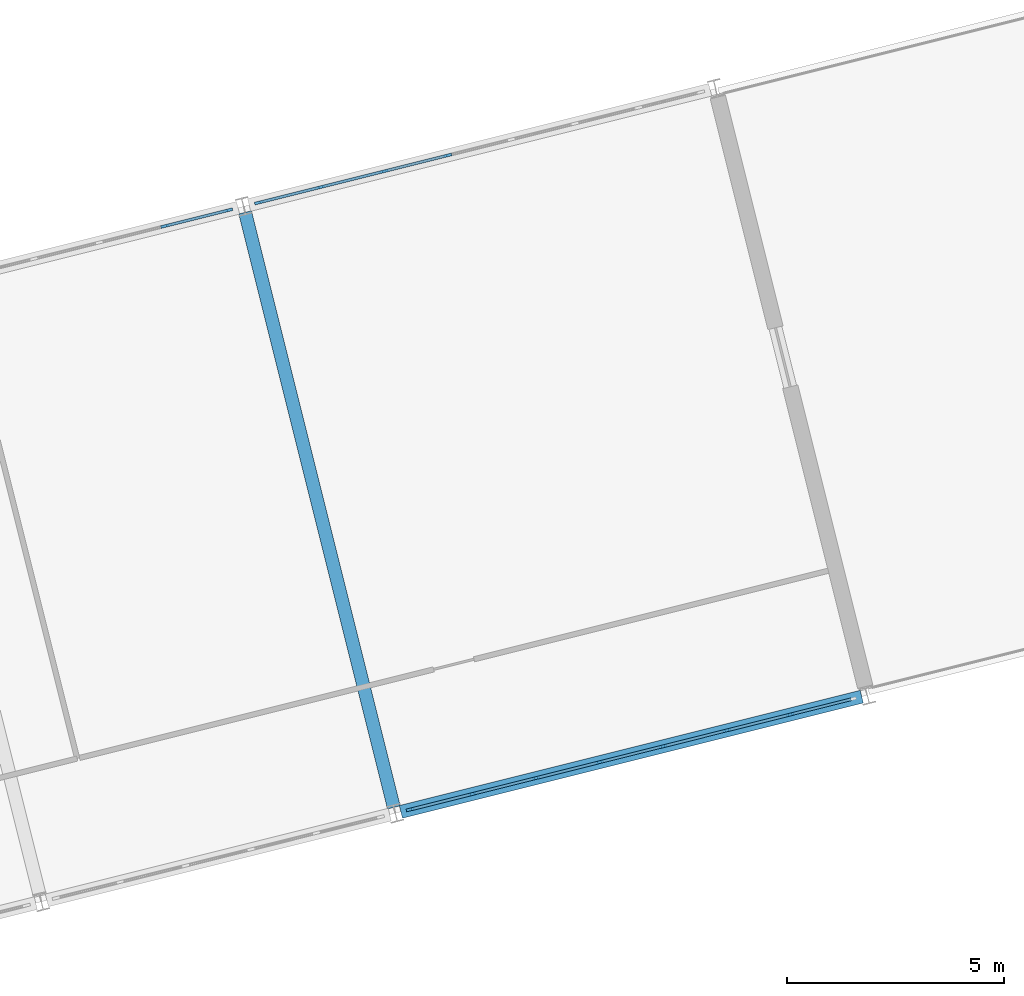
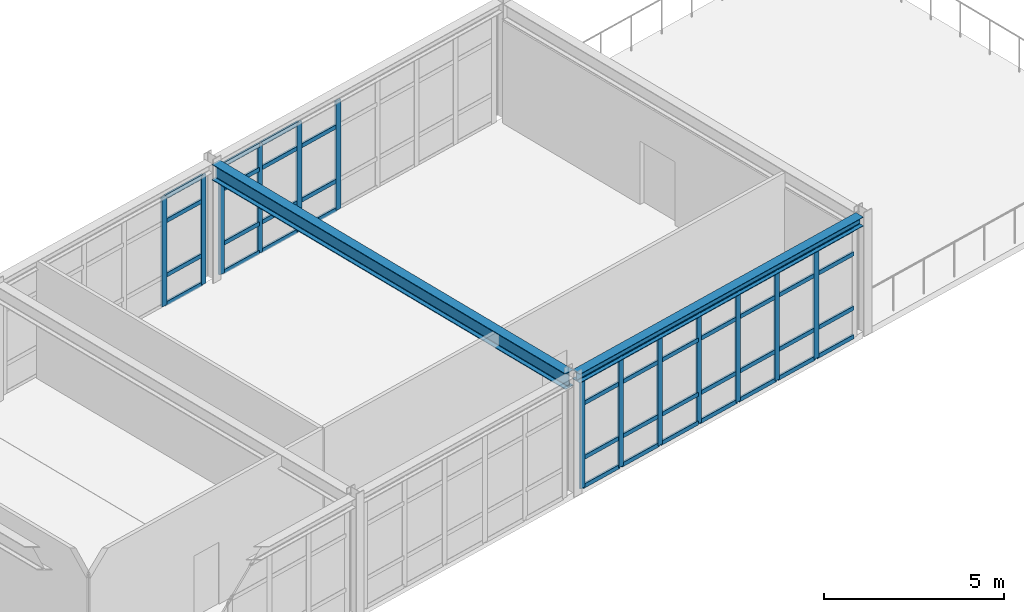
# One storey, part 17 of 64: 56 members, 2 beams, 3 elements without a shape of their own.
"""IFC4 building model written with IfcOpenShell, lengths in metres."""

from ifc_helpers import new_model, si_unit, direction, frame, origin, origin_2d, place, context, subcontext, project, spatial, rectangle, i_section, extrude, material, layer, layer_set, material_profile, profile_set, type_object, element, aggregate, save


model = new_model("IFC4")

# Units and contexts
model_context = context("Model", 3, precision=1e-05, world=origin(), true_north=direction((0.0, 1.0)))
body_context = subcontext(model_context, "Body", "Model", "MODEL_VIEW")
ifc_project = project(units=[si_unit("LENGTHUNIT", "METRE"), si_unit("AREAUNIT", "SQUARE_METRE"), si_unit("VOLUMEUNIT", "CUBIC_METRE"), si_unit("PLANEANGLEUNIT", "RADIAN"), si_unit("MASSUNIT", "GRAM", prefix="KILO")], contexts=[model_context])

# Site, building, storey
site_placement = place(None, origin())
site = spatial("IfcSite", under=ifc_project, at=site_placement, CompositionType="ELEMENT")
building_placement = place(site_placement, origin())
building = spatial("IfcBuilding", under=site, at=building_placement, Name="Nordkorset Police Headquarters", CompositionType="ELEMENT")
storey_placement = place(building_placement, frame((0.0, 0.0, 17.85009765625)))
storey = spatial("IfcBuildingStorey", under=building, at=storey_placement, Name="L04", CompositionType="ELEMENT", Elevation=17.85009765625)

# Curtain wall, members
ifc_material_1 = material(Name="Aluminium alloy AW-6060", Category="aluminium")
ifc_layer_1 = layer(ifc_material_1, 0.179931640625, Name="Aluminium alloy AW-6060")
ifc_layer_set_1 = layer_set([ifc_layer_1], Name="Aluminium alloy AW-6060")
curtain_wall_type_1 = type_object("IfcCurtainWallType", Name="CW_Unit_776x369", PredefinedType="USERDEFINED", material=ifc_layer_set_1)
curtain_wall_1_placement = place(storey_placement, origin())
curtain_wall_1 = element("IfcCurtainWall", 1, at=curtain_wall_1_placement, inside=storey, type_object=curtain_wall_type_1, Name="Unitised Curtain Wall L04 V4N-2", ObjectType="UNITISED CURTAIN WALL", PredefinedType="USERDEFINED")
ifc_material_2 = material(Name="Aluminium alloy AW-6060", Category="aluminium")
ifc_material_profile_1 = material_profile(ifc_material_2, rectangle(XDim=0.06494140625, YDim=0.179931640625, at=origin_2d()), Name="ALU MULL 65x180")
ifc_profile_set_1 = profile_set([ifc_material_profile_1], Name="Aluminium alloy AW-6060")
member_type_1 = type_object("IfcMemberType", Name="CW_Mullion_65x180", PredefinedType="MULLION", material=ifc_profile_set_1)
member_1_placement = place(storey_placement, frame((46.2314453125, 62.5009765625, 0.0), z_axis=(0.0, 0.0, 1.0), x_axis=(-0.242535928242, 0.970142424344, 0.0)))
member_1 = element("IfcMember", 2, at=member_1_placement, type_object=member_type_1, Name="CW-21 mullion 5", PredefinedType="MULLION", context=body_context, shape_type="SweptSolid", body=[
    extrude(rectangle(XDim=0.06494140625, YDim=0.179931640625, at=origin_2d()), origin(), (0.0, 0.0, 1.0), 3.69091796875),
])
member_2_placement = place(storey_placement, frame((47.70556640625, 62.86962890625, 0.0), z_axis=(0.0, 0.0, 1.0), x_axis=(-0.242535928242, 0.970142424344, 0.0)))
member_2 = element("IfcMember", 3, at=member_2_placement, type_object=member_type_1, Name="CW-21 mullion 6", PredefinedType="MULLION", context=body_context, shape_type="SweptSolid", body=[
    extrude(rectangle(XDim=0.06494140625, YDim=0.179931640625, at=origin_2d()), origin(), (0.0, 0.0, 1.0), 3.69091796875),
])

ifc_material_3 = material(Name="Aluminium alloy AW-6060", Category="aluminium")
ifc_layer_2 = layer(ifc_material_3, 0.179931640625, Name="Aluminium alloy AW-6060")
ifc_layer_set_2 = layer_set([ifc_layer_2], Name="Aluminium alloy AW-6060")
curtain_wall_type_2 = type_object("IfcCurtainWallType", Name="CW_Unit_1056x369", PredefinedType="USERDEFINED", material=ifc_layer_set_2)
curtain_wall_2_placement = place(storey_placement, origin())
curtain_wall_2 = element("IfcCurtainWall", 4, at=curtain_wall_2_placement, inside=storey, type_object=curtain_wall_type_2, Name="Unitised Curtain Wall L04 V4S-3", ObjectType="UNITISED CURTAIN WALL", PredefinedType="USERDEFINED")
member_3_placement = place(storey_placement, frame((51.882080078125, 49.070556640625, 0.0), z_axis=(0.0, 0.0, 1.0), x_axis=(-0.242535179399, 0.970142611554, 0.0)))
member_3 = element("IfcMember", 5, at=member_3_placement, type_object=member_type_1, Name="CW-97 mullion 1", PredefinedType="MULLION", context=body_context, shape_type="SweptSolid", body=[
    extrude(rectangle(XDim=0.06494140625, YDim=0.179931640625, at=origin_2d()), origin(), (0.0, 0.0, 1.0), 3.69091796875),
])
member_4_placement = place(storey_placement, frame((53.31396484375, 49.428466796875, 0.0), z_axis=(0.0, 0.0, 1.0), x_axis=(-0.242535179399, 0.970142611554, 0.0)))
member_4 = element("IfcMember", 6, at=member_4_placement, type_object=member_type_1, Name="CW-97 mullion 2", PredefinedType="MULLION", context=body_context, shape_type="SweptSolid", body=[
    extrude(rectangle(XDim=0.06494140625, YDim=0.179931640625, at=origin_2d()), origin(), (0.0, 0.0, 1.0), 3.69091796875),
])
member_5_placement = place(storey_placement, frame((54.777587890625, 49.79443359375, 0.0), z_axis=(0.0, 0.0, 1.0), x_axis=(-0.242535179399, 0.970142611554, 0.0)))
member_5 = element("IfcMember", 7, at=member_5_placement, type_object=member_type_1, Name="CW-97 mullion 3", PredefinedType="MULLION", context=body_context, shape_type="SweptSolid", body=[
    extrude(rectangle(XDim=0.06494140625, YDim=0.179931640625, at=origin_2d()), origin(), (0.0, 0.0, 1.0), 3.69091796875),
])
member_6_placement = place(storey_placement, frame((56.2412109375, 50.160400390625, 0.0), z_axis=(0.0, 0.0, 1.0), x_axis=(-0.242535179399, 0.970142611554, 0.0)))
member_6 = element("IfcMember", 8, at=member_6_placement, type_object=member_type_1, Name="CW-97 mullion 4", PredefinedType="MULLION", context=body_context, shape_type="SweptSolid", body=[
    extrude(rectangle(XDim=0.06494140625, YDim=0.179931640625, at=origin_2d()), origin(), (0.0, 0.0, 1.0), 3.69091796875),
])
member_7_placement = place(storey_placement, frame((57.70458984375, 50.526123046875, 0.0), z_axis=(0.0, 0.0, 1.0), x_axis=(-0.242535179399, 0.970142611554, 0.0)))
member_7 = element("IfcMember", 9, at=member_7_placement, type_object=member_type_1, Name="CW-97 mullion 5", PredefinedType="MULLION", context=body_context, shape_type="SweptSolid", body=[
    extrude(rectangle(XDim=0.06494140625, YDim=0.179931640625, at=origin_2d()), origin(), (0.0, 0.0, 1.0), 3.69091796875),
])
member_8_placement = place(storey_placement, frame((59.168212890625, 50.89208984375, 0.0), z_axis=(0.0, 0.0, 1.0), x_axis=(-0.242535179399, 0.970142611554, 0.0)))
member_8 = element("IfcMember", 10, at=member_8_placement, type_object=member_type_1, Name="CW-97 mullion 6", PredefinedType="MULLION", context=body_context, shape_type="SweptSolid", body=[
    extrude(rectangle(XDim=0.06494140625, YDim=0.179931640625, at=origin_2d()), origin(), (0.0, 0.0, 1.0), 3.69091796875),
])
member_9_placement = place(storey_placement, frame((60.6318359375, 51.2578125, 0.0), z_axis=(0.0, 0.0, 1.0), x_axis=(-0.242535179399, 0.970142611554, 0.0)))
member_9 = element("IfcMember", 11, at=member_9_placement, type_object=member_type_1, Name="CW-97 mullion 7", PredefinedType="MULLION", context=body_context, shape_type="SweptSolid", body=[
    extrude(rectangle(XDim=0.06494140625, YDim=0.179931640625, at=origin_2d()), origin(), (0.0, 0.0, 1.0), 3.69091796875),
])

curtain_wall_3_placement = place(storey_placement, origin())
curtain_wall_3 = element("IfcCurtainWall", 12, at=curtain_wall_3_placement, inside=storey, type_object=curtain_wall_type_2, Name="Unitised Curtain Wall L04 V4N-3", ObjectType="UNITISED CURTAIN WALL", PredefinedType="USERDEFINED")
member_10_placement = place(storey_placement, frame((48.3896484375, 63.04052734375, 0.0), z_axis=(0.0, 0.0, 1.0), x_axis=(-0.242536070676, 0.970142388735, 0.0)))
member_10 = element("IfcMember", 13, at=member_10_placement, type_object=member_type_1, Name="CW-97 mullion 1", PredefinedType="MULLION", context=body_context, shape_type="SweptSolid", body=[
    extrude(rectangle(XDim=0.06494140625, YDim=0.179931640625, at=origin_2d()), origin(), (0.0, 0.0, 1.0), 3.69091796875),
])
member_11_placement = place(storey_placement, frame((49.821533203125, 63.398681640625, 0.0), z_axis=(0.0, 0.0, 1.0), x_axis=(-0.242536070676, 0.970142388735, 0.0)))
member_11 = element("IfcMember", 14, at=member_11_placement, type_object=member_type_1, Name="CW-97 mullion 2", PredefinedType="MULLION", context=body_context, shape_type="SweptSolid", body=[
    extrude(rectangle(XDim=0.06494140625, YDim=0.179931640625, at=origin_2d()), origin(), (0.0, 0.0, 1.0), 3.69091796875),
])
member_12_placement = place(storey_placement, frame((51.28515625, 63.764404296875, 0.0), z_axis=(0.0, 0.0, 1.0), x_axis=(-0.242536070676, 0.970142388735, 0.0)))
member_12 = element("IfcMember", 15, at=member_12_placement, type_object=member_type_1, Name="CW-97 mullion 3", PredefinedType="MULLION", context=body_context, shape_type="SweptSolid", body=[
    extrude(rectangle(XDim=0.06494140625, YDim=0.179931640625, at=origin_2d()), origin(), (0.0, 0.0, 1.0), 3.69091796875),
])
member_13_placement = place(storey_placement, frame((52.74853515625, 64.13037109375, 0.0), z_axis=(0.0, 0.0, 1.0), x_axis=(-0.242536070676, 0.970142388735, 0.0)))
member_13 = element("IfcMember", 16, at=member_13_placement, type_object=member_type_1, Name="CW-97 mullion 4", PredefinedType="MULLION", context=body_context, shape_type="SweptSolid", body=[
    extrude(rectangle(XDim=0.06494140625, YDim=0.179931640625, at=origin_2d()), origin(), (0.0, 0.0, 1.0), 3.69091796875),
])

# Member
ifc_material_4 = material(Name="Aluminium alloy AW-6060", Category="aluminium")
ifc_material_profile_2 = material_profile(ifc_material_4, rectangle(XDim=0.06494140625, YDim=0.139892578125, at=origin_2d()), Name="ALU TRAN 65x140")
ifc_profile_set_2 = profile_set([ifc_material_profile_2], Name="Aluminium alloy AW-6060")
member_type_2 = type_object("IfcMemberType", Name="CW_Transom_65x140", PredefinedType="USERDEFINED", material=ifc_profile_set_2)
member_14_placement = place(storey_placement, frame((46.262939453125, 62.509033203125, 0.032470703125), z_axis=(0.970142500145, 0.242535625036, 0.0), x_axis=(-0.242535625036, 0.970142500145, 0.0)))
member_14 = element("IfcMember", 17, at=member_14_placement, type_object=member_type_2, Name="CW-21 transom 5.1", ObjectType="TRANSOM", PredefinedType="USERDEFINED", context=body_context, shape_type="SweptSolid", body=[
    extrude(rectangle(XDim=0.06494140625, YDim=0.139892578125, at=origin_2d()), origin(), (0.0, 0.0, 1.0), 1.45458984375),
])

member_15_placement = place(storey_placement, frame((46.262939453125, 62.509033203125, 1.0), z_axis=(0.970142500145, 0.242535625036, 0.0), x_axis=(-0.242535625036, 0.970142500145, 0.0)))
member_15 = element("IfcMember", 18, at=member_15_placement, type_object=member_type_2, Name="CW-21 transom 5.2", ObjectType="TRANSOM", PredefinedType="USERDEFINED", context=body_context, shape_type="SweptSolid", body=[
    extrude(rectangle(XDim=0.06494140625, YDim=0.139892578125, at=origin_2d()), origin(), (0.0, 0.0, 1.0), 1.45458984375),
])

member_16_placement = place(storey_placement, frame((46.262939453125, 62.509033203125, 2.8408203125), z_axis=(0.970142500145, 0.242535625036, 0.0), x_axis=(-0.242535625036, 0.970142500145, 0.0)))
member_16 = element("IfcMember", 19, at=member_16_placement, type_object=member_type_2, Name="CW-21 transom 5.3", ObjectType="TRANSOM", PredefinedType="USERDEFINED", context=body_context, shape_type="SweptSolid", body=[
    extrude(rectangle(XDim=0.06494140625, YDim=0.139892578125, at=origin_2d()), origin(), (0.0, 0.0, 1.0), 1.45458984375),
])

member_17_placement = place(storey_placement, frame((46.262939453125, 62.509033203125, 3.658447265625), z_axis=(0.970142500145, 0.242535625036, 0.0), x_axis=(-0.242535625036, 0.970142500145, 0.0)))
member_17 = element("IfcMember", 20, at=member_17_placement, type_object=member_type_2, Name="CW-21 transom 5.4", ObjectType="TRANSOM", PredefinedType="USERDEFINED", context=body_context, shape_type="SweptSolid", body=[
    extrude(rectangle(XDim=0.06494140625, YDim=0.139892578125, at=origin_2d()), origin(), (0.0, 0.0, 1.0), 1.45458984375),
])

aggregate(curtain_wall_1, [member_1, member_2, member_14, member_15, member_16, member_17])

member_18_placement = place(storey_placement, frame((51.91357421875, 49.078369140625, 0.032470703125), z_axis=(0.970132321548, 0.242576335796, 0.0), x_axis=(-0.242576335796, 0.970132321548, 0.0)))
member_18 = element("IfcMember", 21, at=member_18_placement, type_object=member_type_2, Name="CW-97 transom 1.1", ObjectType="TRANSOM", PredefinedType="USERDEFINED", context=body_context, shape_type="SweptSolid", body=[
    extrude(rectangle(XDim=0.06494140625, YDim=0.139892578125, at=origin_2d()), origin(), (0.0, 0.0, 1.0), 1.4111328125),
])

member_19_placement = place(storey_placement, frame((51.91357421875, 49.078369140625, 1.0), z_axis=(0.970132321548, 0.242576335796, 0.0), x_axis=(-0.242576335796, 0.970132321548, 0.0)))
member_19 = element("IfcMember", 22, at=member_19_placement, type_object=member_type_2, Name="CW-97 transom 1.2", ObjectType="TRANSOM", PredefinedType="USERDEFINED", context=body_context, shape_type="SweptSolid", body=[
    extrude(rectangle(XDim=0.06494140625, YDim=0.139892578125, at=origin_2d()), origin(), (0.0, 0.0, 1.0), 1.4111328125),
])

member_20_placement = place(storey_placement, frame((51.91357421875, 49.078369140625, 2.8408203125), z_axis=(0.970132321548, 0.242576335796, 0.0), x_axis=(-0.242576335796, 0.970132321548, 0.0)))
member_20 = element("IfcMember", 23, at=member_20_placement, type_object=member_type_2, Name="CW-97 transom 1.3", ObjectType="TRANSOM", PredefinedType="USERDEFINED", context=body_context, shape_type="SweptSolid", body=[
    extrude(rectangle(XDim=0.06494140625, YDim=0.139892578125, at=origin_2d()), origin(), (0.0, 0.0, 1.0), 1.4111328125),
])

member_21_placement = place(storey_placement, frame((51.91357421875, 49.078369140625, 3.658447265625), z_axis=(0.970132321548, 0.242576335796, 0.0), x_axis=(-0.242576335796, 0.970132321548, 0.0)))
member_21 = element("IfcMember", 24, at=member_21_placement, type_object=member_type_2, Name="CW-97 transom 1.4", ObjectType="TRANSOM", PredefinedType="USERDEFINED", context=body_context, shape_type="SweptSolid", body=[
    extrude(rectangle(XDim=0.06494140625, YDim=0.139892578125, at=origin_2d()), origin(), (0.0, 0.0, 1.0), 1.4111328125),
])

member_22_placement = place(storey_placement, frame((53.345703125, 49.4365234375, 0.032470703125), z_axis=(0.970142500145, 0.242535625036, 0.0), x_axis=(-0.242535625036, 0.970142500145, 0.0)))
member_22 = element("IfcMember", 25, at=member_22_placement, type_object=member_type_2, Name="CW-97 transom 2.1", ObjectType="TRANSOM", PredefinedType="USERDEFINED", context=body_context, shape_type="SweptSolid", body=[
    extrude(rectangle(XDim=0.06494140625, YDim=0.139892578125, at=origin_2d()), origin(), (0.0, 0.0, 1.0), 1.443603515625),
])

member_23_placement = place(storey_placement, frame((53.345703125, 49.4365234375, 1.0), z_axis=(0.970142500145, 0.242535625036, 0.0), x_axis=(-0.242535625036, 0.970142500145, 0.0)))
member_23 = element("IfcMember", 26, at=member_23_placement, type_object=member_type_2, Name="CW-97 transom 2.2", ObjectType="TRANSOM", PredefinedType="USERDEFINED", context=body_context, shape_type="SweptSolid", body=[
    extrude(rectangle(XDim=0.06494140625, YDim=0.139892578125, at=origin_2d()), origin(), (0.0, 0.0, 1.0), 1.443603515625),
])

member_24_placement = place(storey_placement, frame((53.345703125, 49.4365234375, 2.8408203125), z_axis=(0.970142500145, 0.242535625036, 0.0), x_axis=(-0.242535625036, 0.970142500145, 0.0)))
member_24 = element("IfcMember", 27, at=member_24_placement, type_object=member_type_2, Name="CW-97 transom 2.3", ObjectType="TRANSOM", PredefinedType="USERDEFINED", context=body_context, shape_type="SweptSolid", body=[
    extrude(rectangle(XDim=0.06494140625, YDim=0.139892578125, at=origin_2d()), origin(), (0.0, 0.0, 1.0), 1.443603515625),
])

member_25_placement = place(storey_placement, frame((53.345703125, 49.4365234375, 3.658447265625), z_axis=(0.970142500145, 0.242535625036, 0.0), x_axis=(-0.242535625036, 0.970142500145, 0.0)))
member_25 = element("IfcMember", 28, at=member_25_placement, type_object=member_type_2, Name="CW-97 transom 2.4", ObjectType="TRANSOM", PredefinedType="USERDEFINED", context=body_context, shape_type="SweptSolid", body=[
    extrude(rectangle(XDim=0.06494140625, YDim=0.139892578125, at=origin_2d()), origin(), (0.0, 0.0, 1.0), 1.443603515625),
])

member_26_placement = place(storey_placement, frame((54.80908203125, 49.80224609375, 0.032470703125), z_axis=(0.970152446652, 0.242495835541, 0.0), x_axis=(-0.242495835541, 0.970152446652, 0.0)))
member_26 = element("IfcMember", 29, at=member_26_placement, type_object=member_type_2, Name="CW-97 transom 3.1", ObjectType="TRANSOM", PredefinedType="USERDEFINED", context=body_context, shape_type="SweptSolid", body=[
    extrude(rectangle(XDim=0.06494140625, YDim=0.139892578125, at=origin_2d()), origin(), (0.0, 0.0, 1.0), 1.44384765625),
])

member_27_placement = place(storey_placement, frame((54.80908203125, 49.80224609375, 1.0), z_axis=(0.970152446652, 0.242495835541, 0.0), x_axis=(-0.242495835541, 0.970152446652, 0.0)))
member_27 = element("IfcMember", 30, at=member_27_placement, type_object=member_type_2, Name="CW-97 transom 3.2", ObjectType="TRANSOM", PredefinedType="USERDEFINED", context=body_context, shape_type="SweptSolid", body=[
    extrude(rectangle(XDim=0.06494140625, YDim=0.139892578125, at=origin_2d()), origin(), (0.0, 0.0, 1.0), 1.44384765625),
])

member_28_placement = place(storey_placement, frame((54.80908203125, 49.80224609375, 2.8408203125), z_axis=(0.970152446652, 0.242495835541, 0.0), x_axis=(-0.242495835541, 0.970152446652, 0.0)))
member_28 = element("IfcMember", 31, at=member_28_placement, type_object=member_type_2, Name="CW-97 transom 3.3", ObjectType="TRANSOM", PredefinedType="USERDEFINED", context=body_context, shape_type="SweptSolid", body=[
    extrude(rectangle(XDim=0.06494140625, YDim=0.139892578125, at=origin_2d()), origin(), (0.0, 0.0, 1.0), 1.44384765625),
])

member_29_placement = place(storey_placement, frame((54.80908203125, 49.80224609375, 3.658447265625), z_axis=(0.970152446652, 0.242495835541, 0.0), x_axis=(-0.242495835541, 0.970152446652, 0.0)))
member_29 = element("IfcMember", 32, at=member_29_placement, type_object=member_type_2, Name="CW-97 transom 3.4", ObjectType="TRANSOM", PredefinedType="USERDEFINED", context=body_context, shape_type="SweptSolid", body=[
    extrude(rectangle(XDim=0.06494140625, YDim=0.139892578125, at=origin_2d()), origin(), (0.0, 0.0, 1.0), 1.44384765625),
])

member_30_placement = place(storey_placement, frame((56.272705078125, 50.168212890625, 0.032470703125), z_axis=(0.970142500145, 0.242535625036, 0.0), x_axis=(-0.242535625036, 0.970142500145, 0.0)))
member_30 = element("IfcMember", 33, at=member_30_placement, type_object=member_type_2, Name="CW-97 transom 4.1", ObjectType="TRANSOM", PredefinedType="USERDEFINED", context=body_context, shape_type="SweptSolid", body=[
    extrude(rectangle(XDim=0.06494140625, YDim=0.139892578125, at=origin_2d()), origin(), (0.0, 0.0, 1.0), 1.443603515625),
])

member_31_placement = place(storey_placement, frame((56.272705078125, 50.168212890625, 1.0), z_axis=(0.970142500145, 0.242535625036, 0.0), x_axis=(-0.242535625036, 0.970142500145, 0.0)))
member_31 = element("IfcMember", 34, at=member_31_placement, type_object=member_type_2, Name="CW-97 transom 4.2", ObjectType="TRANSOM", PredefinedType="USERDEFINED", context=body_context, shape_type="SweptSolid", body=[
    extrude(rectangle(XDim=0.06494140625, YDim=0.139892578125, at=origin_2d()), origin(), (0.0, 0.0, 1.0), 1.443603515625),
])

member_32_placement = place(storey_placement, frame((56.272705078125, 50.168212890625, 2.8408203125), z_axis=(0.970142500145, 0.242535625036, 0.0), x_axis=(-0.242535625036, 0.970142500145, 0.0)))
member_32 = element("IfcMember", 35, at=member_32_placement, type_object=member_type_2, Name="CW-97 transom 4.3", ObjectType="TRANSOM", PredefinedType="USERDEFINED", context=body_context, shape_type="SweptSolid", body=[
    extrude(rectangle(XDim=0.06494140625, YDim=0.139892578125, at=origin_2d()), origin(), (0.0, 0.0, 1.0), 1.443603515625),
])

member_33_placement = place(storey_placement, frame((56.272705078125, 50.168212890625, 3.658447265625), z_axis=(0.970142500145, 0.242535625036, 0.0), x_axis=(-0.242535625036, 0.970142500145, 0.0)))
member_33 = element("IfcMember", 36, at=member_33_placement, type_object=member_type_2, Name="CW-97 transom 4.4", ObjectType="TRANSOM", PredefinedType="USERDEFINED", context=body_context, shape_type="SweptSolid", body=[
    extrude(rectangle(XDim=0.06494140625, YDim=0.139892578125, at=origin_2d()), origin(), (0.0, 0.0, 1.0), 1.443603515625),
])

member_34_placement = place(storey_placement, frame((57.736083984375, 50.533935546875, 0.032470703125), z_axis=(0.970112652058, 0.242654986178, 0.0), x_axis=(-0.242654986178, 0.970112652058, 0.0)))
member_34 = element("IfcMember", 37, at=member_34_placement, type_object=member_type_2, Name="CW-97 transom 5.1", ObjectType="TRANSOM", PredefinedType="USERDEFINED", context=body_context, shape_type="SweptSolid", body=[
    extrude(rectangle(XDim=0.06494140625, YDim=0.139892578125, at=origin_2d()), origin(), (0.0, 0.0, 1.0), 1.44384765625),
])

member_35_placement = place(storey_placement, frame((57.736083984375, 50.533935546875, 1.0), z_axis=(0.970112652058, 0.242654986178, 0.0), x_axis=(-0.242654986178, 0.970112652058, 0.0)))
member_35 = element("IfcMember", 38, at=member_35_placement, type_object=member_type_2, Name="CW-97 transom 5.2", ObjectType="TRANSOM", PredefinedType="USERDEFINED", context=body_context, shape_type="SweptSolid", body=[
    extrude(rectangle(XDim=0.06494140625, YDim=0.139892578125, at=origin_2d()), origin(), (0.0, 0.0, 1.0), 1.44384765625),
])

member_36_placement = place(storey_placement, frame((57.736083984375, 50.533935546875, 2.8408203125), z_axis=(0.970112652058, 0.242654986178, 0.0), x_axis=(-0.242654986178, 0.970112652058, 0.0)))
member_36 = element("IfcMember", 39, at=member_36_placement, type_object=member_type_2, Name="CW-97 transom 5.3", ObjectType="TRANSOM", PredefinedType="USERDEFINED", context=body_context, shape_type="SweptSolid", body=[
    extrude(rectangle(XDim=0.06494140625, YDim=0.139892578125, at=origin_2d()), origin(), (0.0, 0.0, 1.0), 1.44384765625),
])

member_37_placement = place(storey_placement, frame((57.736083984375, 50.533935546875, 3.658447265625), z_axis=(0.970112652058, 0.242654986178, 0.0), x_axis=(-0.242654986178, 0.970112652058, 0.0)))
member_37 = element("IfcMember", 40, at=member_37_placement, type_object=member_type_2, Name="CW-97 transom 5.4", ObjectType="TRANSOM", PredefinedType="USERDEFINED", context=body_context, shape_type="SweptSolid", body=[
    extrude(rectangle(XDim=0.06494140625, YDim=0.139892578125, at=origin_2d()), origin(), (0.0, 0.0, 1.0), 1.44384765625),
])

member_38_placement = place(storey_placement, frame((59.19970703125, 50.89990234375, 0.032470703125), z_axis=(0.970142500145, 0.242535625036, 0.0), x_axis=(-0.242535625036, 0.970142500145, 0.0)))
member_38 = element("IfcMember", 41, at=member_38_placement, type_object=member_type_2, Name="CW-97 transom 6.1", ObjectType="TRANSOM", PredefinedType="USERDEFINED", context=body_context, shape_type="SweptSolid", body=[
    extrude(rectangle(XDim=0.06494140625, YDim=0.139892578125, at=origin_2d()), origin(), (0.0, 0.0, 1.0), 1.443603515625),
])

member_39_placement = place(storey_placement, frame((59.19970703125, 50.89990234375, 1.0), z_axis=(0.970142500145, 0.242535625036, 0.0), x_axis=(-0.242535625036, 0.970142500145, 0.0)))
member_39 = element("IfcMember", 42, at=member_39_placement, type_object=member_type_2, Name="CW-97 transom 6.2", ObjectType="TRANSOM", PredefinedType="USERDEFINED", context=body_context, shape_type="SweptSolid", body=[
    extrude(rectangle(XDim=0.06494140625, YDim=0.139892578125, at=origin_2d()), origin(), (0.0, 0.0, 1.0), 1.443603515625),
])

member_40_placement = place(storey_placement, frame((59.19970703125, 50.89990234375, 2.8408203125), z_axis=(0.970142500145, 0.242535625036, 0.0), x_axis=(-0.242535625036, 0.970142500145, 0.0)))
member_40 = element("IfcMember", 43, at=member_40_placement, type_object=member_type_2, Name="CW-97 transom 6.3", ObjectType="TRANSOM", PredefinedType="USERDEFINED", context=body_context, shape_type="SweptSolid", body=[
    extrude(rectangle(XDim=0.06494140625, YDim=0.139892578125, at=origin_2d()), origin(), (0.0, 0.0, 1.0), 1.443603515625),
])

member_41_placement = place(storey_placement, frame((59.19970703125, 50.89990234375, 3.658447265625), z_axis=(0.970142500145, 0.242535625036, 0.0), x_axis=(-0.242535625036, 0.970142500145, 0.0)))
member_41 = element("IfcMember", 44, at=member_41_placement, type_object=member_type_2, Name="CW-97 transom 6.4", ObjectType="TRANSOM", PredefinedType="USERDEFINED", context=body_context, shape_type="SweptSolid", body=[
    extrude(rectangle(XDim=0.06494140625, YDim=0.139892578125, at=origin_2d()), origin(), (0.0, 0.0, 1.0), 1.443603515625),
])

member_42_placement = place(storey_placement, frame((60.663330078125, 51.265869140625, 0.032470703125), z_axis=(0.970132321548, 0.242576335796, 0.0), x_axis=(-0.242576335796, 0.970132321548, 0.0)))
member_42 = element("IfcMember", 45, at=member_42_placement, type_object=member_type_2, Name="CW-97 transom 7.1", ObjectType="TRANSOM", PredefinedType="USERDEFINED", context=body_context, shape_type="SweptSolid", body=[
    extrude(rectangle(XDim=0.06494140625, YDim=0.139892578125, at=origin_2d()), origin(), (0.0, 0.0, 1.0), 1.4111328125),
])

member_43_placement = place(storey_placement, frame((60.663330078125, 51.265869140625, 1.0), z_axis=(0.970132321548, 0.242576335796, 0.0), x_axis=(-0.242576335796, 0.970132321548, 0.0)))
member_43 = element("IfcMember", 46, at=member_43_placement, type_object=member_type_2, Name="CW-97 transom 7.2", ObjectType="TRANSOM", PredefinedType="USERDEFINED", context=body_context, shape_type="SweptSolid", body=[
    extrude(rectangle(XDim=0.06494140625, YDim=0.139892578125, at=origin_2d()), origin(), (0.0, 0.0, 1.0), 1.4111328125),
])

member_44_placement = place(storey_placement, frame((60.663330078125, 51.265869140625, 2.8408203125), z_axis=(0.970132321548, 0.242576335796, 0.0), x_axis=(-0.242576335796, 0.970132321548, 0.0)))
member_44 = element("IfcMember", 47, at=member_44_placement, type_object=member_type_2, Name="CW-97 transom 7.3", ObjectType="TRANSOM", PredefinedType="USERDEFINED", context=body_context, shape_type="SweptSolid", body=[
    extrude(rectangle(XDim=0.06494140625, YDim=0.139892578125, at=origin_2d()), origin(), (0.0, 0.0, 1.0), 1.4111328125),
])

member_45_placement = place(storey_placement, frame((60.663330078125, 51.265869140625, 3.658447265625), z_axis=(0.970132321548, 0.242576335796, 0.0), x_axis=(-0.242576335796, 0.970132321548, 0.0)))
member_45 = element("IfcMember", 48, at=member_45_placement, type_object=member_type_2, Name="CW-97 transom 7.4", ObjectType="TRANSOM", PredefinedType="USERDEFINED", context=body_context, shape_type="SweptSolid", body=[
    extrude(rectangle(XDim=0.06494140625, YDim=0.139892578125, at=origin_2d()), origin(), (0.0, 0.0, 1.0), 1.4111328125),
])

aggregate(curtain_wall_2, [member_3, member_4, member_5, member_6, member_7, member_8, member_9, member_18, member_19, member_20, member_21, member_22, member_23, member_24, member_25, member_26, member_27, member_28, member_29, member_30, member_31, member_32, member_33, member_34, member_35, member_36, member_37, member_38, member_39, member_40, member_41, member_42, member_43, member_44, member_45])

member_46_placement = place(storey_placement, frame((48.421142578125, 63.04833984375, 0.032470703125), z_axis=(0.970132321548, 0.242576335796, 0.0), x_axis=(-0.242576335796, 0.970132321548, 0.0)))
member_46 = element("IfcMember", 49, at=member_46_placement, type_object=member_type_2, Name="CW-97 transom 1.1", ObjectType="TRANSOM", PredefinedType="USERDEFINED", context=body_context, shape_type="SweptSolid", body=[
    extrude(rectangle(XDim=0.06494140625, YDim=0.139892578125, at=origin_2d()), origin(), (0.0, 0.0, 1.0), 1.4111328125),
])

member_47_placement = place(storey_placement, frame((48.421142578125, 63.04833984375, 1.0), z_axis=(0.970132321548, 0.242576335796, 0.0), x_axis=(-0.242576335796, 0.970132321548, 0.0)))
member_47 = element("IfcMember", 50, at=member_47_placement, type_object=member_type_2, Name="CW-97 transom 1.2", ObjectType="TRANSOM", PredefinedType="USERDEFINED", context=body_context, shape_type="SweptSolid", body=[
    extrude(rectangle(XDim=0.06494140625, YDim=0.139892578125, at=origin_2d()), origin(), (0.0, 0.0, 1.0), 1.4111328125),
])

member_48_placement = place(storey_placement, frame((48.421142578125, 63.04833984375, 2.8408203125), z_axis=(0.970132321548, 0.242576335796, 0.0), x_axis=(-0.242576335796, 0.970132321548, 0.0)))
member_48 = element("IfcMember", 51, at=member_48_placement, type_object=member_type_2, Name="CW-97 transom 1.3", ObjectType="TRANSOM", PredefinedType="USERDEFINED", context=body_context, shape_type="SweptSolid", body=[
    extrude(rectangle(XDim=0.06494140625, YDim=0.139892578125, at=origin_2d()), origin(), (0.0, 0.0, 1.0), 1.4111328125),
])

member_49_placement = place(storey_placement, frame((48.421142578125, 63.04833984375, 3.658447265625), z_axis=(0.970132321548, 0.242576335796, 0.0), x_axis=(-0.242576335796, 0.970132321548, 0.0)))
member_49 = element("IfcMember", 52, at=member_49_placement, type_object=member_type_2, Name="CW-97 transom 1.4", ObjectType="TRANSOM", PredefinedType="USERDEFINED", context=body_context, shape_type="SweptSolid", body=[
    extrude(rectangle(XDim=0.06494140625, YDim=0.139892578125, at=origin_2d()), origin(), (0.0, 0.0, 1.0), 1.4111328125),
])

member_50_placement = place(storey_placement, frame((49.85302734375, 63.406494140625, 0.032470703125), z_axis=(0.970152446652, 0.242495835541, 0.0), x_axis=(-0.242495835541, 0.970152446652, 0.0)))
member_50 = element("IfcMember", 53, at=member_50_placement, type_object=member_type_2, Name="CW-97 transom 2.1", ObjectType="TRANSOM", PredefinedType="USERDEFINED", context=body_context, shape_type="SweptSolid", body=[
    extrude(rectangle(XDim=0.06494140625, YDim=0.139892578125, at=origin_2d()), origin(), (0.0, 0.0, 1.0), 1.44384765625),
])

member_51_placement = place(storey_placement, frame((49.85302734375, 63.406494140625, 1.0), z_axis=(0.970152446652, 0.242495835541, 0.0), x_axis=(-0.242495835541, 0.970152446652, 0.0)))
member_51 = element("IfcMember", 54, at=member_51_placement, type_object=member_type_2, Name="CW-97 transom 2.2", ObjectType="TRANSOM", PredefinedType="USERDEFINED", context=body_context, shape_type="SweptSolid", body=[
    extrude(rectangle(XDim=0.06494140625, YDim=0.139892578125, at=origin_2d()), origin(), (0.0, 0.0, 1.0), 1.44384765625),
])

member_52_placement = place(storey_placement, frame((49.85302734375, 63.406494140625, 2.8408203125), z_axis=(0.970152446652, 0.242495835541, 0.0), x_axis=(-0.242495835541, 0.970152446652, 0.0)))
member_52 = element("IfcMember", 55, at=member_52_placement, type_object=member_type_2, Name="CW-97 transom 2.3", ObjectType="TRANSOM", PredefinedType="USERDEFINED", context=body_context, shape_type="SweptSolid", body=[
    extrude(rectangle(XDim=0.06494140625, YDim=0.139892578125, at=origin_2d()), origin(), (0.0, 0.0, 1.0), 1.44384765625),
])

member_53_placement = place(storey_placement, frame((49.85302734375, 63.406494140625, 3.658447265625), z_axis=(0.970152446652, 0.242495835541, 0.0), x_axis=(-0.242495835541, 0.970152446652, 0.0)))
member_53 = element("IfcMember", 56, at=member_53_placement, type_object=member_type_2, Name="CW-97 transom 2.4", ObjectType="TRANSOM", PredefinedType="USERDEFINED", context=body_context, shape_type="SweptSolid", body=[
    extrude(rectangle(XDim=0.06494140625, YDim=0.139892578125, at=origin_2d()), origin(), (0.0, 0.0, 1.0), 1.44384765625),
])

member_54_placement = place(storey_placement, frame((51.316650390625, 63.772216796875, 0.032470703125), z_axis=(0.9701026929, 0.24269479852, 0.0), x_axis=(-0.24269479852, 0.9701026929, 0.0)))
member_54 = element("IfcMember", 57, at=member_54_placement, type_object=member_type_2, Name="CW-97 transom 3.1", ObjectType="TRANSOM", PredefinedType="USERDEFINED", context=body_context, shape_type="SweptSolid", body=[
    extrude(rectangle(XDim=0.06494140625, YDim=0.139892578125, at=origin_2d()), origin(), (0.0, 0.0, 1.0), 1.443603515625),
])

member_55_placement = place(storey_placement, frame((51.316650390625, 63.772216796875, 1.0), z_axis=(0.9701026929, 0.24269479852, 0.0), x_axis=(-0.24269479852, 0.9701026929, 0.0)))
member_55 = element("IfcMember", 58, at=member_55_placement, type_object=member_type_2, Name="CW-97 transom 3.2", ObjectType="TRANSOM", PredefinedType="USERDEFINED", context=body_context, shape_type="SweptSolid", body=[
    extrude(rectangle(XDim=0.06494140625, YDim=0.139892578125, at=origin_2d()), origin(), (0.0, 0.0, 1.0), 1.443603515625),
])

member_56_placement = place(storey_placement, frame((51.316650390625, 63.772216796875, 2.8408203125), z_axis=(0.9701026929, 0.24269479852, 0.0), x_axis=(-0.24269479852, 0.9701026929, 0.0)))
member_56 = element("IfcMember", 59, at=member_56_placement, type_object=member_type_2, Name="CW-97 transom 3.3", ObjectType="TRANSOM", PredefinedType="USERDEFINED", context=body_context, shape_type="SweptSolid", body=[
    extrude(rectangle(XDim=0.06494140625, YDim=0.139892578125, at=origin_2d()), origin(), (0.0, 0.0, 1.0), 1.443603515625),
])

aggregate(curtain_wall_3, [member_10, member_11, member_12, member_13, member_46, member_47, member_48, member_49, member_50, member_51, member_52, member_53, member_54, member_55, member_56])

# Beams
ifc_material_5 = material(Name="Steel S355J2", Category="steel")
ifc_material_profile_3 = material_profile(ifc_material_5, i_section(OverallWidth=0.300048828125, OverallDepth=0.5400390625, WebThickness=0.012451171875, FlangeThickness=0.02392578125, FilletRadius=0.027099609375, at=origin_2d()), Name="HEA 550")
ifc_profile_set_3 = profile_set([ifc_material_profile_3], Name="Steel S355J2")
beam_type_1 = type_object("IfcBeamType", Name="Girder_HEA_550", PredefinedType="USERDEFINED", material=ifc_profile_set_3)
beam_1_placement = place(storey_placement, frame((51.506103515625, 49.120849609375, 3.7509765625), z_axis=(-0.24253155672, 0.970143517215, 0.0), x_axis=(-0.970143517215, -0.24253155672, 0.0)))
element("IfcBeam", 60, at=beam_1_placement, inside=storey, type_object=beam_type_1, Name="Splayed Wing Transverse Girder L04 3", ObjectType="GIRDER", PredefinedType="USERDEFINED", context=body_context, shape_type="SweptSolid", body=[
    extrude(i_section(OverallWidth=0.300048828125, OverallDepth=0.5400390625, WebThickness=0.012451171875, FlangeThickness=0.02392578125, FilletRadius=0.027099609375, at=origin_2d()), origin(), (0.0, 0.0, 1.0), 14.1201171875),
])
ifc_material_6 = material(Name="Steel S355J2", Category="steel")
ifc_material_profile_4 = material_profile(ifc_material_6, i_section(OverallWidth=0.300048828125, OverallDepth=0.31005859375, WebThickness=0.009033203125, FlangeThickness=0.015380859375, FilletRadius=0.027099609375, at=origin_2d()), Name="HEA 320")
ifc_profile_set_4 = profile_set([ifc_material_profile_4], Name="Steel S355J2")
beam_type_2 = type_object("IfcBeamType", Name="Spandrel_HEA_320", PredefinedType="SPANDREL", material=ifc_profile_set_4)
beam_2_placement = place(storey_placement, frame((51.666259765625, 49.0166015625, 3.865966796875), z_axis=(0.970142500145, 0.242535625036, 0.0), x_axis=(-0.242535625036, 0.970142500145, 0.0)))
element("IfcBeam", 61, at=beam_2_placement, inside=storey, type_object=beam_type_2, Name="Splayed Wing Spandrel L04 3-0", PredefinedType="SPANDREL", context=body_context, shape_type="SweptSolid", body=[
    extrude(i_section(OverallWidth=0.300048828125, OverallDepth=0.31005859375, WebThickness=0.009033203125, FlangeThickness=0.015380859375, FilletRadius=0.027099609375, at=origin_2d()), origin(), (0.0, 0.0, 1.0), 10.93994140625),
])

save(model, "model.ifc")
